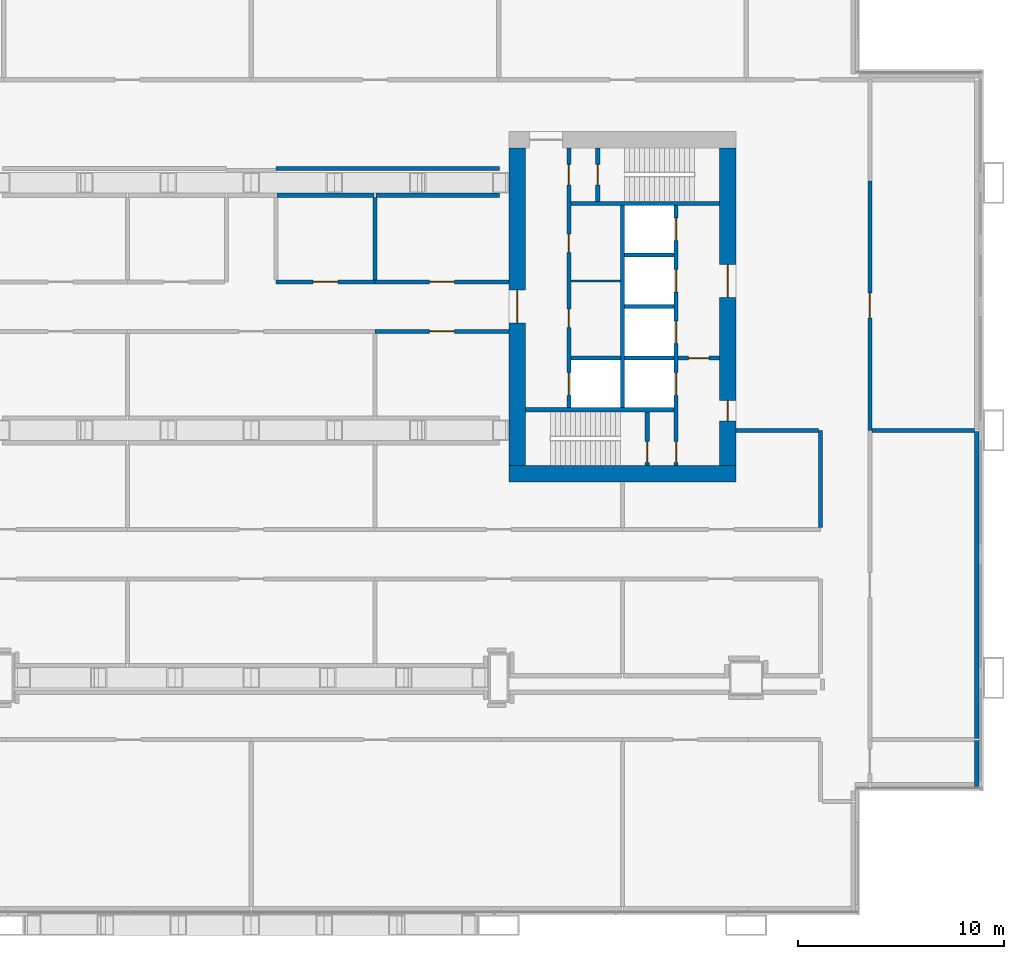
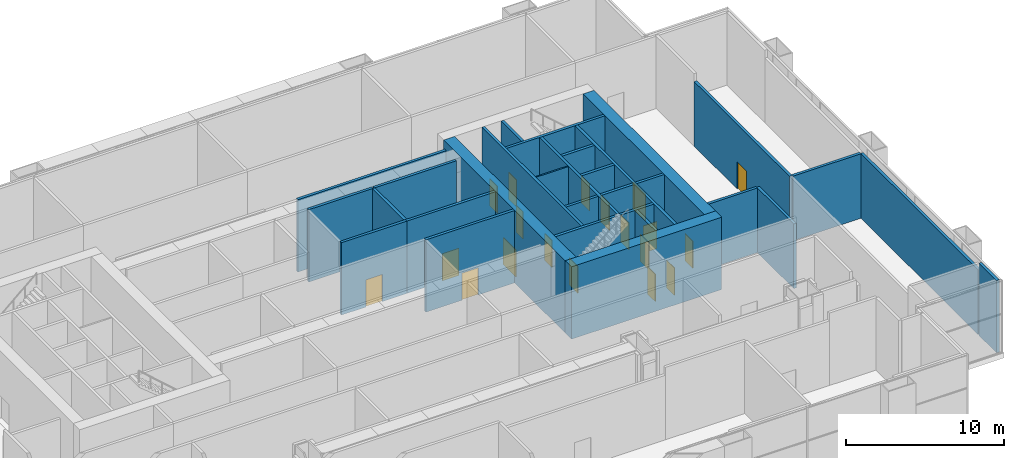
# One storey, part 24 of 27: 29 walls, 19 doors, 19 openings.
"""IFC4 building model written with IfcOpenShell, lengths in metres."""

from ifc_helpers import new_model, si_unit, direction, frame, frame_2d, origin, place, context, subcontext, project, spatial, rectangle, extrude, material, layer, layer_set, type_object, element, fill, save


model = new_model("IFC4")

# Units and contexts
model_context = context("Model", 3, precision=1e-05, world=origin(), true_north=direction((0.0, 1.0)))
body_context = subcontext(model_context, "Body", "Model", "MODEL_VIEW")
ifc_project = project(units=[si_unit("LENGTHUNIT", "METRE"), si_unit("AREAUNIT", "SQUARE_METRE"), si_unit("VOLUMEUNIT", "CUBIC_METRE"), si_unit("PLANEANGLEUNIT", "RADIAN"), si_unit("MASSUNIT", "GRAM", prefix="KILO")], contexts=[model_context])

# Site, building, storey
site_placement = place(None, origin())
site = spatial("IfcSite", under=ifc_project, at=site_placement, CompositionType="ELEMENT")
building_placement = place(site_placement, origin())
building = spatial("IfcBuilding", under=site, at=building_placement, Name="Kitamizu Gate Tower and Museum", CompositionType="ELEMENT")
storey_placement = place(building_placement, frame((0.0, 0.0, 24.0)))
storey = spatial("IfcBuildingStorey", under=building, at=storey_placement, Name="L04", CompositionType="ELEMENT", Elevation=24.0)

# Wall
ifc_material_1 = material(Name="Concrete Fc60", Category="concrete")
ifc_layer_1 = layer(ifc_material_1, 0.800048828125)
ifc_layer_set_1 = layer_set([ifc_layer_1], Name="Concrete Fc60")
wall_type_1 = type_object("IfcWallType", Name="Core wall 800", PredefinedType="SHEAR", material=ifc_layer_set_1)
wall_1_placement = place(storey_placement, frame((59.5, 21.89990234375, 0.0), z_axis=(0.0, 0.0, 1.0), x_axis=(-1.0, 0.0, 0.0)))
element("IfcWall", 1, at=wall_1_placement, inside=storey, type_object=wall_type_1, Name="Core wall ES", PredefinedType="SHEAR", context=body_context, shape_type="SweptSolid", body=[
    extrude(rectangle(XDim=11.0, YDim=0.800048828125, at=frame_2d((5.5, 0.0))), origin(), (0.0, 0.0, 1.0), 5.60009765625),
])

# Wall, openings, doors
wall_2_placement = place(storey_placement, frame((59.10009765625, 22.300048828125, 0.0), z_axis=(0.0, 0.0, 1.0), x_axis=(0.0, 1.0, 0.0)))
wall_2 = element("IfcWall", 2, at=wall_2_placement, inside=storey, type_object=wall_type_1, Name="Core wall EOUT", PredefinedType="SHEAR", context=body_context, shape_type="SweptSolid", body=[
    extrude(rectangle(XDim=15.39990234375, YDim=0.800048828125, at=frame_2d((7.699951171875, 0.0))), origin(), (0.0, 0.0, 1.0), 5.60009765625),
])
opening_1_placement = place(wall_2_placement, frame((8.14990234375, 0.0, 0.0)))
opening_1 = element("IfcOpeningElement", 3, at=opening_1_placement, cuts=wall_2, Name="Opening L04-050", PredefinedType="OPENING", context=body_context, shape_type="SweptSolid", body=[
    extrude(rectangle(XDim=1.60009765625, YDim=2.10009765625, at=frame_2d((0.800048828125, 1.050048828125))), frame((0.0, 0.41015625, 0.0), z_axis=(0.0, -1.0, 0.0), x_axis=(1.0, 0.0, 0.0)), (0.0, 0.0, 1.0), 0.820068359375),
])
opening_2_placement = place(wall_2_placement, frame((2.14990234375, 0.0, 0.0)))
opening_2 = element("IfcOpeningElement", 4, at=opening_2_placement, cuts=wall_2, Name="Opening L04-051", PredefinedType="OPENING", context=body_context, shape_type="SweptSolid", body=[
    extrude(rectangle(XDim=1.0, YDim=2.10009765625, at=frame_2d((0.5, 1.050048828125))), frame((0.0, 0.41015625, 0.0), z_axis=(0.0, -1.0, 0.0), x_axis=(1.0, 0.0, 0.0)), (0.0, 0.0, 1.0), 0.820068359375),
])
ifc_material_2 = material(Name="Timber door set", Category="wood")
door_type_1 = type_object("IfcDoorType", Name="Entrance door 1600", OperationType="DOUBLE_DOOR_SINGLE_SWING", PredefinedType="DOOR", material=ifc_material_2)
door_1_placement = place(opening_1_placement, origin())
door_1 = element("IfcDoor", 5, at=door_1_placement, inside=storey, type_object=door_type_1, Name="Lobby door L04-050", OperationType="DOUBLE_DOOR_SINGLE_SWING", OverallHeight=2.10009765625, OverallWidth=1.60009765625, PredefinedType="DOOR", context=body_context, shape_type="SweptSolid", body=[
    extrude(rectangle(XDim=1.60009765625, YDim=2.10009765625, at=frame_2d((0.800048828125, 1.050048828125))), frame((0.0, 0.02490234375, 0.0), z_axis=(0.0, -1.0, 0.0), x_axis=(1.0, 0.0, 0.0)), (0.0, 0.0, 1.0), 0.050048828125),
])
fill(opening_1, door_1)
ifc_material_3 = material(Name="Hollow metal door set")
door_type_2 = type_object("IfcDoorType", Name="Fire door 1000", OperationType="NOTDEFINED", PredefinedType="DOOR", material=ifc_material_3)
door_2_placement = place(opening_2_placement, origin())
door_2 = element("IfcDoor", 6, at=door_2_placement, inside=storey, type_object=door_type_2, Name="Fire-fighting lobby door L04-051", OperationType="SINGLE_SWING_LEFT", OverallHeight=2.10009765625, OverallWidth=1.0, PredefinedType="DOOR", context=body_context, shape_type="SweptSolid", body=[
    extrude(rectangle(XDim=1.0, YDim=2.10009765625, at=frame_2d((0.5, 1.050048828125))), frame((0.0, 0.02490234375, 0.0), z_axis=(0.0, -1.0, 0.0), x_axis=(1.0, 0.0, 0.0)), (0.0, 0.0, 1.0), 0.050048828125),
])
fill(opening_2, door_2)

# Wall, opening, door
wall_3_placement = place(storey_placement, frame((48.89990234375, 22.300048828125, 0.0), z_axis=(0.0, 0.0, 1.0), x_axis=(0.0, 1.0, 0.0)))
wall_3 = element("IfcWall", 7, at=wall_3_placement, inside=storey, type_object=wall_type_1, Name="Core wall EARC", PredefinedType="SHEAR", context=body_context, shape_type="SweptSolid", body=[
    extrude(rectangle(XDim=15.39990234375, YDim=0.800048828125, at=frame_2d((7.699951171875, 0.0))), origin(), (0.0, 0.0, 1.0), 5.60009765625),
])
opening_3_placement = place(wall_3_placement, frame((6.89990234375, 0.0, 0.0)))
opening_3 = element("IfcOpeningElement", 8, at=opening_3_placement, cuts=wall_3, Name="Opening L04-053", PredefinedType="OPENING", context=body_context, shape_type="SweptSolid", body=[
    extrude(rectangle(XDim=1.60009765625, YDim=2.10009765625, at=frame_2d((0.800048828125, 1.050048828125))), frame((0.0, 0.41015625, 0.0), z_axis=(0.0, -1.0, 0.0), x_axis=(1.0, 0.0, 0.0)), (0.0, 0.0, 1.0), 0.820068359375),
])
door_3_placement = place(opening_3_placement, origin())
door_3 = element("IfcDoor", 9, at=door_3_placement, inside=storey, type_object=door_type_1, Name="Lobby door L04-053", OperationType="DOUBLE_DOOR_SINGLE_SWING", OverallHeight=2.10009765625, OverallWidth=1.60009765625, PredefinedType="DOOR", context=body_context, shape_type="SweptSolid", body=[
    extrude(rectangle(XDim=1.60009765625, YDim=2.10009765625, at=frame_2d((0.800048828125, 1.050048828125))), frame((0.0, 0.02490234375, 0.0), z_axis=(0.0, -1.0, 0.0), x_axis=(1.0, 0.0, 0.0)), (0.0, 0.0, 1.0), 0.050048828125),
])
fill(opening_3, door_3)

# Wall
ifc_material_4 = material(Name="Gypsum board on galvanised stud")
ifc_layer_2 = layer(ifc_material_4, 0.10009765625)
ifc_layer_set_2 = layer_set([ifc_layer_2], Name="Gypsum board on galvanised stud")
wall_type_2 = type_object("IfcWallType", Name="Partition 100", PredefinedType="PARTITIONING", material=ifc_layer_set_2)
wall_4_placement = place(storey_placement, frame((53.89990234375, 31.25, 0.0), z_axis=(0.0, 0.0, 1.0), x_axis=(-1.0, 0.0, 0.0)))
element("IfcWall", 10, at=wall_4_placement, inside=storey, type_object=wall_type_2, Name="Partition EPF1", PredefinedType="PARTITIONING", context=body_context, shape_type="SweptSolid", body=[
    extrude(rectangle(XDim=2.39990234375, YDim=0.10009765625, at=frame_2d((1.199951171875, 0.0))), origin(), (0.0, 0.0, 1.0), 5.60009765625),
])

# Wall, opening, door
ifc_material_5 = material(Name="Gypsum board on galvanised stud")
ifc_layer_3 = layer(ifc_material_5, 0.199951171875)
ifc_layer_set_3 = layer_set([ifc_layer_3], Name="Gypsum board on galvanised stud")
wall_type_3 = type_object("IfcWallType", Name="Partition 200", PredefinedType="PARTITIONING", material=ifc_layer_set_3)
wall_5_placement = place(storey_placement, frame((66.0, 24.0, 0.0), z_axis=(0.0, 0.0, 1.0), x_axis=(0.0, 1.0, 0.0)))
wall_5 = element("IfcWall", 11, at=wall_5_placement, inside=storey, type_object=wall_type_3, Name="Partition L04-005", PredefinedType="PARTITIONING", context=body_context, shape_type="SweptSolid", body=[
    extrude(rectangle(XDim=12.10009765625, YDim=0.199951171875, at=frame_2d((6.050048828125, 0.0))), origin(), (0.0, 0.0, 1.0), 5.0),
])
opening_4_placement = place(wall_5_placement, frame((5.449951171875, 0.0, 0.0)))
opening_4 = element("IfcOpeningElement", 12, at=opening_4_placement, cuts=wall_5, Name="Opening L04-004", PredefinedType="OPENING", context=body_context, shape_type="SweptSolid", body=[
    extrude(rectangle(XDim=1.199951171875, YDim=2.10009765625, at=frame_2d((0.60009765625, 1.050048828125))), frame((0.0, 0.10986328125, 0.0), z_axis=(0.0, -1.0, 0.0), x_axis=(1.0, 0.0, 0.0)), (0.0, 0.0, 1.0), 0.219970703125),
])
ifc_material_6 = material(Name="Timber door set", Category="wood")
door_type_3 = type_object("IfcDoorType", Name="Plant room door 1200", OperationType="DOUBLE_DOOR_SINGLE_SWING", PredefinedType="DOOR", material=ifc_material_6)
door_4_placement = place(opening_4_placement, origin())
door_4 = element("IfcDoor", 13, at=door_4_placement, inside=storey, type_object=door_type_3, Name="Plant room door L04-004", OperationType="DOUBLE_DOOR_SINGLE_SWING", OverallHeight=2.10009765625, OverallWidth=1.199951171875, PredefinedType="DOOR", context=body_context, shape_type="SweptSolid", body=[
    extrude(rectangle(XDim=1.199951171875, YDim=2.10009765625, at=frame_2d((0.60009765625, 1.050048828125))), frame((0.0, 0.02490234375, 0.0), z_axis=(0.0, -1.0, 0.0), x_axis=(1.0, 0.0, 0.0)), (0.0, 0.0, 1.0), 0.050048828125),
])
fill(opening_4, door_4)

# Walls
wall_6_placement = place(storey_placement, frame((63.60009765625, 19.300048828125, 0.0), z_axis=(0.0, 0.0, 1.0), x_axis=(0.0, 1.0, 0.0)))
element("IfcWall", 14, at=wall_6_placement, inside=storey, type_object=wall_type_3, Name="Partition L04-035", PredefinedType="PARTITIONING", context=body_context, shape_type="SweptSolid", body=[
    extrude(rectangle(XDim=4.699951171875, YDim=0.199951171875, at=frame_2d((2.35009765625, 0.0))), origin(), (0.0, 0.0, 1.0), 5.0),
])
wall_7_placement = place(storey_placement, frame((63.5, 24.0, 0.0), z_axis=(0.0, 0.0, 1.0), x_axis=(-1.0, 0.0, 0.0)))
element("IfcWall", 15, at=wall_7_placement, inside=storey, type_object=wall_type_3, Name="Partition L04-036", PredefinedType="PARTITIONING", context=body_context, shape_type="SweptSolid", body=[
    extrude(rectangle(XDim=4.0, YDim=0.199951171875, at=frame_2d((2.0, 0.0))), origin(), (0.0, 0.0, 1.0), 5.0),
])

# Wall, opening, door
wall_8_placement = place(storey_placement, frame((42.0, 28.800048828125, 0.0), z_axis=(0.0, 0.0, 1.0), x_axis=(1.0, 0.0, 0.0)))
wall_8 = element("IfcWall", 16, at=wall_8_placement, inside=storey, type_object=wall_type_3, Name="Partition L04-045", PredefinedType="PARTITIONING", context=body_context, shape_type="SweptSolid", body=[
    extrude(rectangle(XDim=6.5, YDim=0.199951171875, at=frame_2d((3.25, 0.0))), origin(), (0.0, 0.0, 1.0), 5.60009765625),
])
opening_5_placement = place(wall_8_placement, frame((2.64990234375, 0.0, 0.0)))
opening_5 = element("IfcOpeningElement", 17, at=opening_5_placement, cuts=wall_8, Name="Opening L04-023", PredefinedType="OPENING", context=body_context, shape_type="SweptSolid", body=[
    extrude(rectangle(XDim=1.199951171875, YDim=2.10009765625, at=frame_2d((0.60009765625, 1.050048828125))), frame((0.0, 0.10986328125, 0.0), z_axis=(0.0, -1.0, 0.0), x_axis=(1.0, 0.0, 0.0)), (0.0, 0.0, 1.0), 0.219970703125),
])
door_5_placement = place(opening_5_placement, origin())
door_5 = element("IfcDoor", 18, at=door_5_placement, inside=storey, type_object=door_type_3, Name="Plant room door L04-023", OperationType="DOUBLE_DOOR_SINGLE_SWING", OverallHeight=2.10009765625, OverallWidth=1.199951171875, PredefinedType="DOOR", context=body_context, shape_type="SweptSolid", body=[
    extrude(rectangle(XDim=1.199951171875, YDim=2.10009765625, at=frame_2d((0.60009765625, 1.050048828125))), frame((0.0, 0.02490234375, 0.0), z_axis=(0.0, -1.0, 0.0), x_axis=(1.0, 0.0, 0.0)), (0.0, 0.0, 1.0), 0.050048828125),
])
fill(opening_5, door_5)

wall_9_placement = place(storey_placement, frame((42.0, 31.199951171875, 0.0), z_axis=(0.0, 0.0, 1.0), x_axis=(-1.0, 0.0, 0.0)))
wall_9 = element("IfcWall", 19, at=wall_9_placement, inside=storey, type_object=wall_type_3, Name="Partition L04-049", PredefinedType="PARTITIONING", context=body_context, shape_type="SweptSolid", body=[
    extrude(rectangle(XDim=4.800048828125, YDim=0.199951171875, at=frame_2d((2.39990234375, 0.0))), origin(), (0.0, 0.0, 1.0), 5.60009765625),
])
opening_6_placement = place(wall_9_placement, frame((1.800048828125, 0.0, 0.0)))
opening_6 = element("IfcOpeningElement", 20, at=opening_6_placement, cuts=wall_9, Name="Opening L04-026", PredefinedType="OPENING", context=body_context, shape_type="SweptSolid", body=[
    extrude(rectangle(XDim=1.199951171875, YDim=2.10009765625, at=frame_2d((0.60009765625, 1.050048828125))), frame((0.0, 0.10986328125, 0.0), z_axis=(0.0, -1.0, 0.0), x_axis=(1.0, 0.0, 0.0)), (0.0, 0.0, 1.0), 0.219970703125),
])
door_6_placement = place(opening_6_placement, origin())
door_6 = element("IfcDoor", 21, at=door_6_placement, inside=storey, type_object=door_type_3, Name="Plant room door L04-026", OperationType="DOUBLE_DOOR_SINGLE_SWING", OverallHeight=2.10009765625, OverallWidth=1.199951171875, PredefinedType="DOOR", context=body_context, shape_type="SweptSolid", body=[
    extrude(rectangle(XDim=1.199951171875, YDim=2.10009765625, at=frame_2d((0.60009765625, 1.050048828125))), frame((0.0, 0.02490234375, 0.0), z_axis=(0.0, -1.0, 0.0), x_axis=(1.0, 0.0, 0.0)), (0.0, 0.0, 1.0), 0.050048828125),
])
fill(opening_6, door_6)

wall_10_placement = place(storey_placement, frame((48.5, 31.199951171875, 0.0), z_axis=(0.0, 0.0, 1.0), x_axis=(-1.0, 0.0, 0.0)))
wall_10 = element("IfcWall", 22, at=wall_10_placement, inside=storey, type_object=wall_type_3, Name="Partition L04-051", PredefinedType="PARTITIONING", context=body_context, shape_type="SweptSolid", body=[
    extrude(rectangle(XDim=6.5, YDim=0.199951171875, at=frame_2d((3.25, 0.0))), origin(), (0.0, 0.0, 1.0), 5.60009765625),
])
opening_7_placement = place(wall_10_placement, frame((2.64990234375, 0.0, 0.0)))
opening_7 = element("IfcOpeningElement", 23, at=opening_7_placement, cuts=wall_10, Name="Opening L04-027", PredefinedType="OPENING", context=body_context, shape_type="SweptSolid", body=[
    extrude(rectangle(XDim=1.199951171875, YDim=2.10009765625, at=frame_2d((0.60009765625, 1.050048828125))), frame((0.0, 0.10986328125, 0.0), z_axis=(0.0, -1.0, 0.0), x_axis=(1.0, 0.0, 0.0)), (0.0, 0.0, 1.0), 0.219970703125),
])
door_7_placement = place(opening_7_placement, origin())
door_7 = element("IfcDoor", 24, at=door_7_placement, inside=storey, type_object=door_type_3, Name="Plant room door L04-027", OperationType="DOUBLE_DOOR_SINGLE_SWING", OverallHeight=2.10009765625, OverallWidth=1.199951171875, PredefinedType="DOOR", context=body_context, shape_type="SweptSolid", body=[
    extrude(rectangle(XDim=1.199951171875, YDim=2.10009765625, at=frame_2d((0.60009765625, 1.050048828125))), frame((0.0, 0.02490234375, 0.0), z_axis=(0.0, -1.0, 0.0), x_axis=(1.0, 0.0, 0.0)), (0.0, 0.0, 1.0), 0.050048828125),
])
fill(opening_7, door_7)

# Walls
wall_11_placement = place(storey_placement, frame((71.080078125, 24.0, 0.0), z_axis=(0.0, 0.0, 1.0), x_axis=(-1.0, 0.0, 0.0)))
element("IfcWall", 25, at=wall_11_placement, inside=storey, type_object=wall_type_3, Name="Partition L04-054", PredefinedType="PARTITIONING", context=body_context, shape_type="SweptSolid", body=[
    extrude(rectangle(XDim=4.97998046875, YDim=0.199951171875, at=frame_2d((2.489990234375, 0.0))), origin(), (0.0, 0.0, 1.0), 5.0),
])
wall_12_placement = place(storey_placement, frame((42.0, 31.300048828125, 0.0), z_axis=(0.0, 0.0, 1.0), x_axis=(0.0, 1.0, 0.0)))
element("IfcWall", 26, at=wall_12_placement, inside=storey, type_object=wall_type_3, Name="Partition L04-072", PredefinedType="PARTITIONING", context=body_context, shape_type="SweptSolid", body=[
    extrude(rectangle(XDim=4.0, YDim=0.199951171875, at=frame_2d((2.0, 0.0))), origin(), (0.0, 0.0, 1.0), 5.60009765625),
])
wall_13_placement = place(storey_placement, frame((48.050048828125, 36.699951171875, 0.0), z_axis=(0.0, 0.0, 1.0), x_axis=(-1.0, 0.0, 0.0)))
element("IfcWall", 27, at=wall_13_placement, inside=storey, type_object=wall_type_3, Name="Partition L04-078", PredefinedType="PARTITIONING", context=body_context, shape_type="SweptSolid", body=[
    extrude(rectangle(XDim=10.85009765625, YDim=0.199951171875, at=frame_2d((5.425048828125, 0.0))), origin(), (0.0, 0.0, 1.0), 5.60009765625),
])
wall_14_placement = place(storey_placement, frame((71.179931640625, 9.050048828125, 0.0), z_axis=(0.0, 0.0, 1.0), x_axis=(0.0, 1.0, 0.0)))
element("IfcWall", 28, at=wall_14_placement, inside=storey, type_object=wall_type_3, Name="Partition L04-078", PredefinedType="PARTITIONING", context=body_context, shape_type="SweptSolid", body=[
    extrude(rectangle(XDim=14.89990234375, YDim=0.199951171875, at=frame_2d((7.449951171875, 0.0))), origin(), (0.0, 0.0, 1.0), 5.0),
])
wall_15_placement = place(storey_placement, frame((71.179931640625, 6.719970703125, 0.0), z_axis=(0.0, 0.0, 1.0), x_axis=(0.0, 1.0, 0.0)))
element("IfcWall", 29, at=wall_15_placement, inside=storey, type_object=wall_type_3, Name="Partition L04-078", PredefinedType="PARTITIONING", context=body_context, shape_type="SweptSolid", body=[
    extrude(rectangle(XDim=2.22998046875, YDim=0.199951171875, at=frame_2d((1.114990234375, 0.0))), origin(), (0.0, 0.0, 1.0), 5.60009765625),
])
wall_16_placement = place(storey_placement, frame((41.949951171875, 35.39990234375, 0.0), z_axis=(0.0, 0.0, 1.0), x_axis=(-1.0, 0.0, 0.0)))
element("IfcWall", 30, at=wall_16_placement, inside=storey, type_object=wall_type_3, Name="Partition L04-078", PredefinedType="PARTITIONING", context=body_context, shape_type="SweptSolid", body=[
    extrude(rectangle(XDim=4.699951171875, YDim=0.199951171875, at=frame_2d((2.35009765625, 0.0))), origin(), (0.0, 0.0, 1.0), 5.60009765625),
])
wall_17_placement = place(storey_placement, frame((48.050048828125, 35.39990234375, 0.0), z_axis=(0.0, 0.0, 1.0), x_axis=(-1.0, 0.0, 0.0)))
element("IfcWall", 31, at=wall_17_placement, inside=storey, type_object=wall_type_3, Name="Partition L04-078", PredefinedType="PARTITIONING", context=body_context, shape_type="SweptSolid", body=[
    extrude(rectangle(XDim=6.0, YDim=0.199951171875, at=frame_2d((3.0, 0.0))), origin(), (0.0, 0.0, 1.0), 5.60009765625),
])

# Wall, openings, doors
ifc_material_7 = material(Name="Concrete Fc42", Category="concrete")
ifc_layer_4 = layer(ifc_material_7, 0.199951171875)
ifc_layer_set_4 = layer_set([ifc_layer_4], Name="Concrete Fc42")
wall_type_4 = type_object("IfcWallType", Name="Shaft wall 200", PredefinedType="SOLIDWALL", material=ifc_layer_set_4)
wall_18_placement = place(storey_placement, frame((56.60009765625, 22.300048828125, 0.0), z_axis=(0.0, 0.0, 1.0), x_axis=(0.0, 1.0, 0.0)))
wall_18 = element("IfcWall", 32, at=wall_18_placement, inside=storey, type_object=wall_type_4, Name="Shaft wall EWEST", PredefinedType="SOLIDWALL", context=body_context, shape_type="SweptSolid", body=[
    extrude(rectangle(XDim=12.599853515625, YDim=0.199951171875, at=frame_2d((6.2998046875, 0.0))), origin(), (0.0, 0.0, 1.0), 5.60009765625),
])
opening_8_placement = place(wall_18_placement, frame((3.39990234375, 0.0, 0.0)))
opening_8 = element("IfcOpeningElement", 33, at=opening_8_placement, cuts=wall_18, Name="Opening LD", PredefinedType="OPENING", context=body_context, shape_type="SweptSolid", body=[
    extrude(rectangle(XDim=1.10009765625, YDim=2.10009765625, at=frame_2d((0.550048828125, 1.050048828125))), frame((0.0, 0.10986328125, 0.0), z_axis=(0.0, -1.0, 0.0), x_axis=(1.0, 0.0, 0.0)), (0.0, 0.0, 1.0), 0.219970703125),
])
opening_9_placement = place(wall_18_placement, frame((5.89990234375, 0.0, 0.0)))
opening_9 = element("IfcOpeningElement", 34, at=opening_9_placement, cuts=wall_18, Name="Opening LD", PredefinedType="OPENING", context=body_context, shape_type="SweptSolid", body=[
    extrude(rectangle(XDim=1.10009765625, YDim=2.10009765625, at=frame_2d((0.550048828125, 1.050048828125))), frame((0.0, 0.10986328125, 0.0), z_axis=(0.0, -1.0, 0.0), x_axis=(1.0, 0.0, 0.0)), (0.0, 0.0, 1.0), 0.219970703125),
])
opening_10_placement = place(wall_18_placement, frame((8.39990234375, 0.0, 0.0)))
opening_10 = element("IfcOpeningElement", 35, at=opening_10_placement, cuts=wall_18, Name="Opening LD", PredefinedType="OPENING", context=body_context, shape_type="SweptSolid", body=[
    extrude(rectangle(XDim=1.10009765625, YDim=2.10009765625, at=frame_2d((0.550048828125, 1.050048828125))), frame((0.0, 0.10986328125, 0.0), z_axis=(0.0, -1.0, 0.0), x_axis=(1.0, 0.0, 0.0)), (0.0, 0.0, 1.0), 0.219970703125),
])
opening_11_placement = place(wall_18_placement, frame((10.89990234375, 0.0, 0.0)))
opening_11 = element("IfcOpeningElement", 36, at=opening_11_placement, cuts=wall_18, Name="Opening LD", PredefinedType="OPENING", context=body_context, shape_type="SweptSolid", body=[
    extrude(rectangle(XDim=1.10009765625, YDim=2.10009765625, at=frame_2d((0.550048828125, 1.050048828125))), frame((0.0, 0.10986328125, 0.0), z_axis=(0.0, -1.0, 0.0), x_axis=(1.0, 0.0, 0.0)), (0.0, 0.0, 1.0), 0.219970703125),
])
opening_12_placement = place(wall_18_placement, frame((0.14990234375, 0.0, 0.0)))
opening_12 = element("IfcOpeningElement", 37, at=opening_12_placement, cuts=wall_18, Name="Opening L04-046", PredefinedType="OPENING", context=body_context, shape_type="SweptSolid", body=[
    extrude(rectangle(XDim=1.0, YDim=2.10009765625, at=frame_2d((0.5, 1.050048828125))), frame((0.0, 0.10986328125, 0.0), z_axis=(0.0, -1.0, 0.0), x_axis=(1.0, 0.0, 0.0)), (0.0, 0.0, 1.0), 0.219970703125),
])
door_8_placement = place(opening_12_placement, origin())
door_8 = element("IfcDoor", 38, at=door_8_placement, inside=storey, type_object=door_type_2, Name="Stair lobby door L04-046", OperationType="SINGLE_SWING_RIGHT", OverallHeight=2.10009765625, OverallWidth=1.0, PredefinedType="DOOR", context=body_context, shape_type="SweptSolid", body=[
    extrude(rectangle(XDim=1.0, YDim=2.10009765625, at=frame_2d((0.5, 1.050048828125))), frame((0.0, 0.02490234375, 0.0), z_axis=(0.0, -1.0, 0.0), x_axis=(1.0, 0.0, 0.0)), (0.0, 0.0, 1.0), 0.050048828125),
])
fill(opening_12, door_8)
ifc_material_8 = material(Name="Hollow metal door set")
door_type_4 = type_object("IfcDoorType", Name="Landing door 1100", OperationType="SLIDING_TO_LEFT", PredefinedType="DOOR", material=ifc_material_8)
door_9_placement = place(opening_8_placement, origin())
door_9 = element("IfcDoor", 39, at=door_9_placement, inside=storey, type_object=door_type_4, Name="Landing door EFF1", OperationType="SLIDING_TO_LEFT", OverallHeight=2.10009765625, OverallWidth=1.10009765625, PredefinedType="DOOR", context=body_context, shape_type="SweptSolid", body=[
    extrude(rectangle(XDim=1.10009765625, YDim=2.10009765625, at=frame_2d((0.550048828125, 1.050048828125))), frame((0.0, 0.02490234375, 0.0), z_axis=(0.0, -1.0, 0.0), x_axis=(1.0, 0.0, 0.0)), (0.0, 0.0, 1.0), 0.050048828125),
])
fill(opening_8, door_9)
door_10_placement = place(opening_9_placement, origin())
door_10 = element("IfcDoor", 40, at=door_10_placement, inside=storey, type_object=door_type_4, Name="Landing door EL1", OperationType="SLIDING_TO_LEFT", OverallHeight=2.10009765625, OverallWidth=1.10009765625, PredefinedType="DOOR", context=body_context, shape_type="SweptSolid", body=[
    extrude(rectangle(XDim=1.10009765625, YDim=2.10009765625, at=frame_2d((0.550048828125, 1.050048828125))), frame((0.0, 0.02490234375, 0.0), z_axis=(0.0, -1.0, 0.0), x_axis=(1.0, 0.0, 0.0)), (0.0, 0.0, 1.0), 0.050048828125),
])
fill(opening_9, door_10)
door_11_placement = place(opening_10_placement, origin())
door_11 = element("IfcDoor", 41, at=door_11_placement, inside=storey, type_object=door_type_4, Name="Landing door EL2", OperationType="SLIDING_TO_LEFT", OverallHeight=2.10009765625, OverallWidth=1.10009765625, PredefinedType="DOOR", context=body_context, shape_type="SweptSolid", body=[
    extrude(rectangle(XDim=1.10009765625, YDim=2.10009765625, at=frame_2d((0.550048828125, 1.050048828125))), frame((0.0, 0.02490234375, 0.0), z_axis=(0.0, -1.0, 0.0), x_axis=(1.0, 0.0, 0.0)), (0.0, 0.0, 1.0), 0.050048828125),
])
fill(opening_10, door_11)
door_12_placement = place(opening_11_placement, origin())
door_12 = element("IfcDoor", 42, at=door_12_placement, inside=storey, type_object=door_type_4, Name="Landing door EL3", OperationType="SLIDING_TO_LEFT", OverallHeight=2.10009765625, OverallWidth=1.10009765625, PredefinedType="DOOR", context=body_context, shape_type="SweptSolid", body=[
    extrude(rectangle(XDim=1.10009765625, YDim=2.10009765625, at=frame_2d((0.550048828125, 1.050048828125))), frame((0.0, 0.02490234375, 0.0), z_axis=(0.0, -1.0, 0.0), x_axis=(1.0, 0.0, 0.0)), (0.0, 0.0, 1.0), 0.050048828125),
])
fill(opening_11, door_12)

wall_19_placement = place(storey_placement, frame((51.39990234375, 25.10009765625, 0.0), z_axis=(0.0, 0.0, 1.0), x_axis=(0.0, 1.0, 0.0)))
wall_19 = element("IfcWall", 43, at=wall_19_placement, inside=storey, type_object=wall_type_4, Name="Shaft wall EEAST", PredefinedType="SOLIDWALL", context=body_context, shape_type="SweptSolid", body=[
    extrude(rectangle(XDim=12.599853515625, YDim=0.199951171875, at=frame_2d((6.2998046875, 0.0))), origin(), (0.0, 0.0, 1.0), 5.60009765625),
])
opening_13_placement = place(wall_19_placement, frame((0.60009765625, 0.0, 0.0)))
opening_13 = element("IfcOpeningElement", 44, at=opening_13_placement, cuts=wall_19, Name="Opening LD", PredefinedType="OPENING", context=body_context, shape_type="SweptSolid", body=[
    extrude(rectangle(XDim=1.10009765625, YDim=2.10009765625, at=frame_2d((0.550048828125, 1.050048828125))), frame((0.0, 0.10986328125, 0.0), z_axis=(0.0, -1.0, 0.0), x_axis=(1.0, 0.0, 0.0)), (0.0, 0.0, 1.0), 0.219970703125),
])
opening_14_placement = place(wall_19_placement, frame((10.800048828125, 0.0, 0.0)))
opening_14 = element("IfcOpeningElement", 45, at=opening_14_placement, cuts=wall_19, Name="Opening L04-047", PredefinedType="OPENING", context=body_context, shape_type="SweptSolid", body=[
    extrude(rectangle(XDim=1.0, YDim=2.10009765625, at=frame_2d((0.5, 1.050048828125))), frame((0.0, 0.10986328125, 0.0), z_axis=(0.0, -1.0, 0.0), x_axis=(1.0, 0.0, 0.0)), (0.0, 0.0, 1.0), 0.219970703125),
])
opening_15_placement = place(wall_19_placement, frame((3.875, 0.0, 0.0)))
opening_15 = element("IfcOpeningElement", 46, at=opening_15_placement, cuts=wall_19, Name="Opening L04-054", PredefinedType="OPENING", context=body_context, shape_type="SweptSolid", body=[
    extrude(rectangle(XDim=0.89990234375, YDim=2.10009765625, at=frame_2d((0.449951171875, 1.050048828125))), frame((0.0, 0.10986328125, 0.0), z_axis=(0.0, -1.0, 0.0), x_axis=(1.0, 0.0, 0.0)), (0.0, 0.0, 1.0), 0.219970703125),
])
opening_16_placement = place(wall_19_placement, frame((7.52490234375, 0.0, 0.0)))
opening_16 = element("IfcOpeningElement", 47, at=opening_16_placement, cuts=wall_19, Name="Opening L04-055", PredefinedType="OPENING", context=body_context, shape_type="SweptSolid", body=[
    extrude(rectangle(XDim=0.89990234375, YDim=2.10009765625, at=frame_2d((0.449951171875, 1.050048828125))), frame((0.0, 0.10986328125, 0.0), z_axis=(0.0, -1.0, 0.0), x_axis=(1.0, 0.0, 0.0)), (0.0, 0.0, 1.0), 0.219970703125),
])
door_13_placement = place(opening_14_placement, frame((1.0, 0.0, 0.0), x_axis=(-1.0, 0.0, 0.0)))
door_13 = element("IfcDoor", 48, at=door_13_placement, inside=storey, type_object=door_type_2, Name="Stair lobby door L04-047", OperationType="SINGLE_SWING_LEFT", OverallHeight=2.10009765625, OverallWidth=1.0, PredefinedType="DOOR", context=body_context, shape_type="SweptSolid", body=[
    extrude(rectangle(XDim=1.0, YDim=2.10009765625, at=frame_2d((0.5, 1.050048828125))), frame((0.0, 0.02490234375, 0.0), z_axis=(0.0, -1.0, 0.0), x_axis=(1.0, 0.0, 0.0)), (0.0, 0.0, 1.0), 0.050048828125),
])
fill(opening_14, door_13)
door_14_placement = place(opening_13_placement, origin())
door_14 = element("IfcDoor", 49, at=door_14_placement, inside=storey, type_object=door_type_4, Name="Landing door ESV1", OperationType="SLIDING_TO_LEFT", OverallHeight=2.10009765625, OverallWidth=1.10009765625, PredefinedType="DOOR", context=body_context, shape_type="SweptSolid", body=[
    extrude(rectangle(XDim=1.10009765625, YDim=2.10009765625, at=frame_2d((0.550048828125, 1.050048828125))), frame((0.0, 0.02490234375, 0.0), z_axis=(0.0, -1.0, 0.0), x_axis=(1.0, 0.0, 0.0)), (0.0, 0.0, 1.0), 0.050048828125),
])
fill(opening_13, door_14)
ifc_material_9 = material(Name="Timber door set", Category="wood")
door_type_5 = type_object("IfcDoorType", Name="Service door 900", OperationType="NOTDEFINED", PredefinedType="DOOR", material=ifc_material_9)
door_15_placement = place(opening_15_placement, frame((0.89990234375, 0.0, 0.0), x_axis=(-1.0, 0.0, 0.0)))
door_15 = element("IfcDoor", 50, at=door_15_placement, inside=storey, type_object=door_type_5, Name="Service door L04-054", OperationType="SINGLE_SWING_LEFT", OverallHeight=2.10009765625, OverallWidth=0.89990234375, PredefinedType="DOOR", context=body_context, shape_type="SweptSolid", body=[
    extrude(rectangle(XDim=0.89990234375, YDim=2.10009765625, at=frame_2d((0.449951171875, 1.050048828125))), frame((0.0, 0.02490234375, 0.0), z_axis=(0.0, -1.0, 0.0), x_axis=(1.0, 0.0, 0.0)), (0.0, 0.0, 1.0), 0.050048828125),
])
fill(opening_15, door_15)
door_16_placement = place(opening_16_placement, frame((0.89990234375, 0.0, 0.0), x_axis=(-1.0, 0.0, 0.0)))
door_16 = element("IfcDoor", 51, at=door_16_placement, inside=storey, type_object=door_type_5, Name="Service door L04-055", OperationType="SINGLE_SWING_RIGHT", OverallHeight=2.10009765625, OverallWidth=0.89990234375, PredefinedType="DOOR", context=body_context, shape_type="SweptSolid", body=[
    extrude(rectangle(XDim=0.89990234375, YDim=2.10009765625, at=frame_2d((0.449951171875, 1.050048828125))), frame((0.0, 0.02490234375, 0.0), z_axis=(0.0, -1.0, 0.0), x_axis=(1.0, 0.0, 0.0)), (0.0, 0.0, 1.0), 0.050048828125),
])
fill(opening_16, door_16)

# Walls
wall_20_placement = place(storey_placement, frame((54.0, 25.10009765625, 0.0), z_axis=(0.0, 0.0, 1.0), x_axis=(0.0, 1.0, 0.0)))
element("IfcWall", 52, at=wall_20_placement, inside=storey, type_object=wall_type_4, Name="Shaft wall EMID", PredefinedType="SOLIDWALL", context=body_context, shape_type="SweptSolid", body=[
    extrude(rectangle(XDim=9.7998046875, YDim=0.199951171875, at=frame_2d((4.89990234375, 0.0))), origin(), (0.0, 0.0, 1.0), 5.60009765625),
])
for number, where, z_axis, x_axis, name in (
    (53, (56.5, 25.0, 0.0), (0.0, 0.0, 1.0), (-1.0, 0.0, 0.0), "Shaft wall ESB"),
    (54, (58.699951171875, 35.0, 0.0), (0.0, 0.0, 1.0), (-1.0, 0.0, 0.0), "Shaft wall ENB"),
):
    element("IfcWall", number, at=place(storey_placement, frame(where, z_axis=z_axis, x_axis=x_axis)), inside=storey, type_object=wall_type_4, Name=name, PredefinedType="SOLIDWALL", context=body_context, shape_type="SweptSolid", body=[
        extrude(rectangle(XDim=7.199951171875, YDim=0.199951171875, at=frame_2d((3.60009765625, 0.0))), origin(), (0.0, 0.0, 1.0), 5.60009765625),
    ])

# Wall, opening, door
wall_21_placement = place(storey_placement, frame((58.699951171875, 27.5, 0.0), z_axis=(0.0, 0.0, 1.0), x_axis=(-1.0, 0.0, 0.0)))
wall_21 = element("IfcWall", 55, at=wall_21_placement, inside=storey, type_object=wall_type_4, Name="Shaft wall EFFN", PredefinedType="SOLIDWALL", context=body_context, shape_type="SweptSolid", body=[
    extrude(rectangle(XDim=2.0, YDim=0.199951171875, at=frame_2d((1.0, 0.0))), origin(), (0.0, 0.0, 1.0), 5.60009765625),
])
opening_17_placement = place(wall_21_placement, frame((0.5, 0.0, 0.0)))
opening_17 = element("IfcOpeningElement", 56, at=opening_17_placement, cuts=wall_21, Name="Opening L04-049", PredefinedType="OPENING", context=body_context, shape_type="SweptSolid", body=[
    extrude(rectangle(XDim=1.0, YDim=2.10009765625, at=frame_2d((0.5, 1.050048828125))), frame((0.0, 0.10986328125, 0.0), z_axis=(0.0, -1.0, 0.0), x_axis=(1.0, 0.0, 0.0)), (0.0, 0.0, 1.0), 0.219970703125),
])
door_17_placement = place(opening_17_placement, origin())
door_17 = element("IfcDoor", 57, at=door_17_placement, inside=storey, type_object=door_type_2, Name="Fire-fighting lobby door L04-049", OperationType="SINGLE_SWING_RIGHT", OverallHeight=2.10009765625, OverallWidth=1.0, PredefinedType="DOOR", context=body_context, shape_type="SweptSolid", body=[
    extrude(rectangle(XDim=1.0, YDim=2.10009765625, at=frame_2d((0.5, 1.050048828125))), frame((0.0, 0.02490234375, 0.0), z_axis=(0.0, -1.0, 0.0), x_axis=(1.0, 0.0, 0.0)), (0.0, 0.0, 1.0), 0.050048828125),
])
fill(opening_17, door_17)

wall_22_placement = place(storey_placement, frame((55.199951171875, 22.300048828125, 0.0), z_axis=(0.0, 0.0, 1.0), x_axis=(0.0, 1.0, 0.0)))
wall_22 = element("IfcWall", 58, at=wall_22_placement, inside=storey, type_object=wall_type_4, Name="Shaft wall ESZ", PredefinedType="SOLIDWALL", context=body_context, shape_type="SweptSolid", body=[
    extrude(rectangle(XDim=2.599853515625, YDim=0.199951171875, at=frame_2d((1.2998046875, 0.0))), origin(), (0.0, 0.0, 1.0), 5.60009765625),
])
opening_18_placement = place(wall_22_placement, frame((0.14990234375, 0.0, 0.0)))
opening_18 = element("IfcOpeningElement", 59, at=opening_18_placement, cuts=wall_22, Name="Opening L04-045", PredefinedType="OPENING", context=body_context, shape_type="SweptSolid", body=[
    extrude(rectangle(XDim=1.0, YDim=2.10009765625, at=frame_2d((0.5, 1.050048828125))), frame((0.0, 0.10986328125, 0.0), z_axis=(0.0, -1.0, 0.0), x_axis=(1.0, 0.0, 0.0)), (0.0, 0.0, 1.0), 0.219970703125),
])
door_18_placement = place(opening_18_placement, origin())
door_18 = element("IfcDoor", 60, at=door_18_placement, inside=storey, type_object=door_type_2, Name="Stair door L04-045", OperationType="SINGLE_SWING_RIGHT", OverallHeight=2.10009765625, OverallWidth=1.0, PredefinedType="DOOR", context=body_context, shape_type="SweptSolid", body=[
    extrude(rectangle(XDim=1.0, YDim=2.10009765625, at=frame_2d((0.5, 1.050048828125))), frame((0.0, 0.02490234375, 0.0), z_axis=(0.0, -1.0, 0.0), x_axis=(1.0, 0.0, 0.0)), (0.0, 0.0, 1.0), 0.050048828125),
])
fill(opening_18, door_18)

wall_23_placement = place(storey_placement, frame((52.800048828125, 35.10009765625, 0.0), z_axis=(0.0, 0.0, 1.0), x_axis=(0.0, 1.0, 0.0)))
wall_23 = element("IfcWall", 61, at=wall_23_placement, inside=storey, type_object=wall_type_4, Name="Shaft wall ENZ", PredefinedType="SOLIDWALL", context=body_context, shape_type="SweptSolid", body=[
    extrude(rectangle(XDim=2.599853515625, YDim=0.199951171875, at=frame_2d((1.2998046875, 0.0))), origin(), (0.0, 0.0, 1.0), 5.60009765625),
])
opening_19_placement = place(wall_23_placement, frame((0.800048828125, 0.0, 0.0)))
opening_19 = element("IfcOpeningElement", 62, at=opening_19_placement, cuts=wall_23, Name="Opening L04-048", PredefinedType="OPENING", context=body_context, shape_type="SweptSolid", body=[
    extrude(rectangle(XDim=1.0, YDim=2.10009765625, at=frame_2d((0.5, 1.050048828125))), frame((0.0, 0.10986328125, 0.0), z_axis=(0.0, -1.0, 0.0), x_axis=(1.0, 0.0, 0.0)), (0.0, 0.0, 1.0), 0.219970703125),
])
door_19_placement = place(opening_19_placement, frame((1.0, 0.0, 0.0), x_axis=(-1.0, 0.0, 0.0)))
door_19 = element("IfcDoor", 63, at=door_19_placement, inside=storey, type_object=door_type_2, Name="Stair door L04-048", OperationType="SINGLE_SWING_RIGHT", OverallHeight=2.10009765625, OverallWidth=1.0, PredefinedType="DOOR", context=body_context, shape_type="SweptSolid", body=[
    extrude(rectangle(XDim=1.0, YDim=2.10009765625, at=frame_2d((0.5, 1.050048828125))), frame((0.0, 0.02490234375, 0.0), z_axis=(0.0, -1.0, 0.0), x_axis=(1.0, 0.0, 0.0)), (0.0, 0.0, 1.0), 0.050048828125),
])
fill(opening_19, door_19)

# Walls
for number, where, z_axis, x_axis, name in (
    (64, (56.5, 27.5, 0.0), (0.0, 0.0, 1.0), (-1.0, 0.0, 0.0), "Shaft wall EDVW0"),
    (65, (56.5, 30.0, 0.0), (0.0, 0.0, 1.0), (-1.0, 0.0, 0.0), "Shaft wall EDVW1"),
    (66, (56.5, 32.5, 0.0), (0.0, 0.0, 1.0), (-1.0, 0.0, 0.0), "Shaft wall EDVW2"),
    (67, (53.89990234375, 27.5, 0.0), (0.0, 0.0, 1.0), (-1.0, 0.0, 0.0), "Shaft wall EDVE0"),
):
    element("IfcWall", number, at=place(storey_placement, frame(where, z_axis=z_axis, x_axis=x_axis)), inside=storey, type_object=wall_type_4, Name=name, PredefinedType="SOLIDWALL", context=body_context, shape_type="SweptSolid", body=[
        extrude(rectangle(XDim=2.39990234375, YDim=0.199951171875, at=frame_2d((1.199951171875, 0.0))), origin(), (0.0, 0.0, 1.0), 5.60009765625),
    ])

save(model, "model.ifc")
